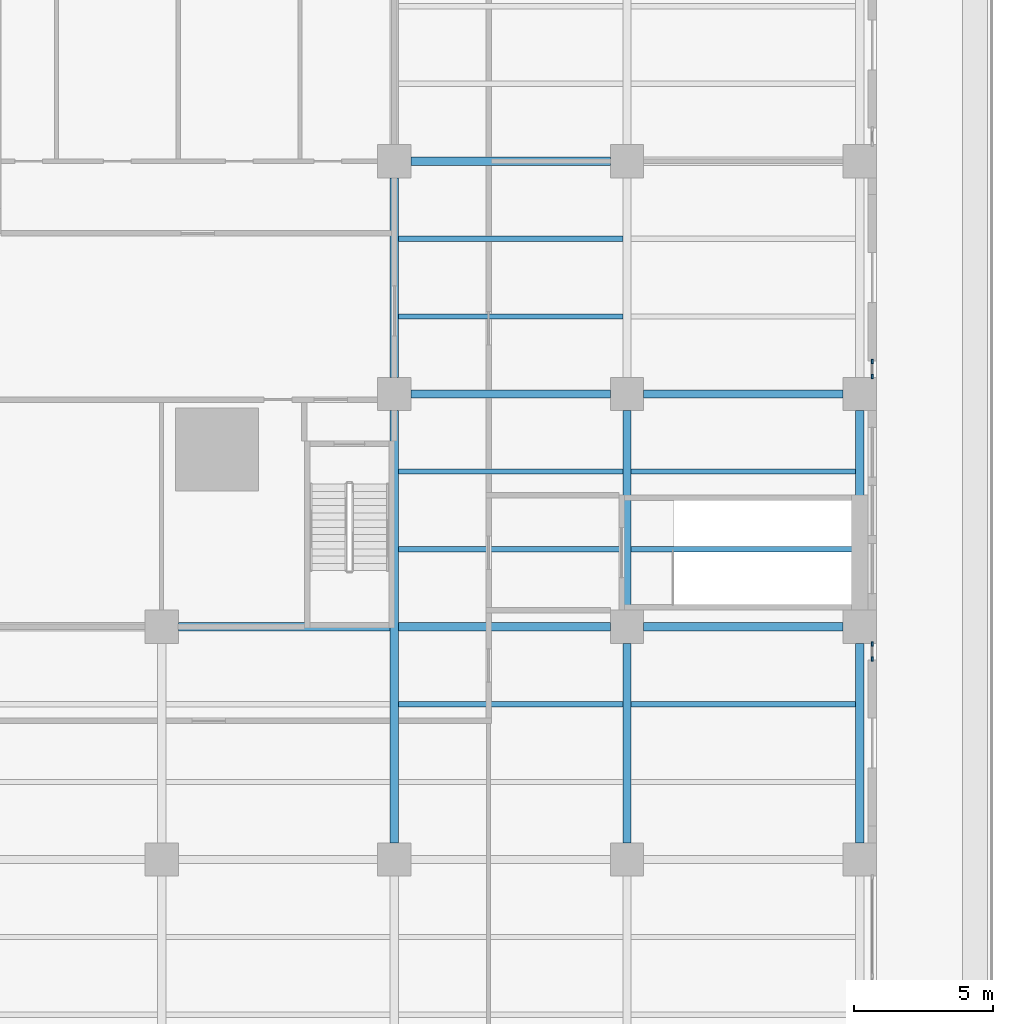
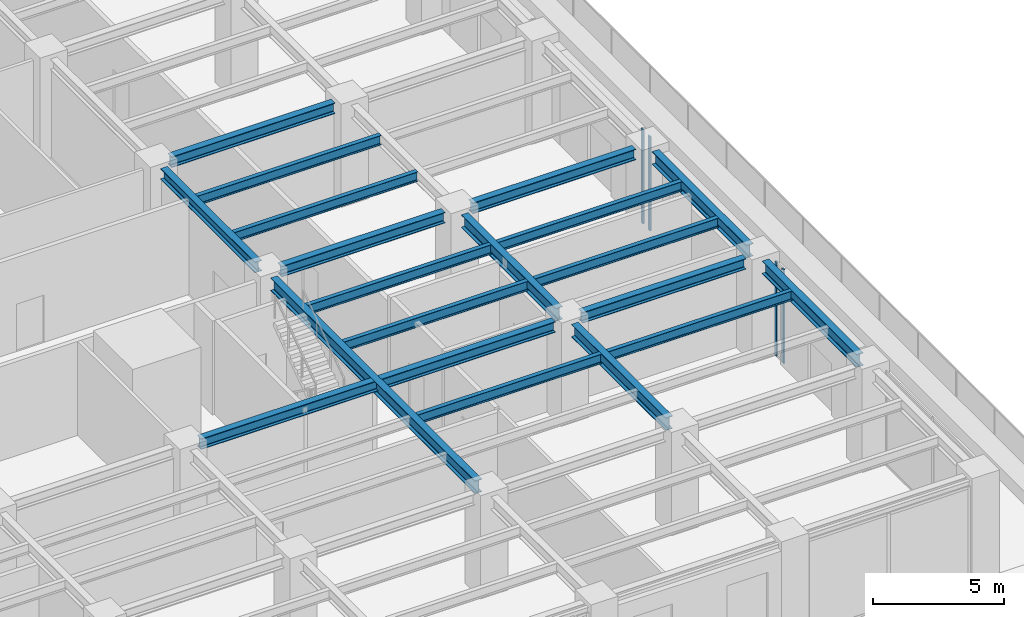
# One storey, part 9 of 53: 19 beams, 4 members, 2 elements without a shape of their own.
"""IFC4 building model written with IfcOpenShell, lengths in metres."""

import ifcopenshell
import ifcopenshell.guid

model = None  # the IFC model being written
_history = None  # IfcOwnerHistory: only IFC2X3 demands one
_inside = {}  # id of a spatial element -> (the spatial element, [elements in it])
_under = {}  # id of a project, library or spatial element -> (it, [spatial elements below it])
_declared = {}  # id of a project -> (the project, [libraries it declares])
_typed = {}  # id of a type object -> (the type object, [elements of that type])
_made_of = {}  # id of a material, layer set ... -> (it, [elements and type objects made of it])


def new_model(schema):
    """Start an empty IFC model of exactly this schema.

    Asked for "IFC4X3", IfcOpenShell would pick the latest addendum, in which some entities
    have other attributes; the version numbers below select the first issue.
    IFC2X3 requires an IfcOwnerHistory on every rooted entity: one is made here for all.
    """
    global model, _history
    if schema == "IFC4X3":
        model = ifcopenshell.file(schema_version=(4, 3, 0, 0))
    else:
        model = ifcopenshell.file(schema=schema)
    _inside.clear()
    _under.clear()
    _declared.clear()
    _typed.clear()
    _made_of.clear()
    _history = None
    if model.schema == "IFC2X3":
        org = make("IfcOrganization", Name="unknown")
        user = make(
            "IfcPersonAndOrganization",
            ThePerson=make("IfcPerson", FamilyName="unknown"),
            TheOrganization=org,
        )
        app = make(
            "IfcApplication",
            ApplicationDeveloper=org,
            Version="unknown",
            ApplicationFullName="unknown",
            ApplicationIdentifier="unknown",
        )
        _history = make(
            "IfcOwnerHistory",
            OwningUser=user,
            OwningApplication=app,
            ChangeAction="ADDED",
            CreationDate=0,
        )
    return model


def make(cls, **values):
    """One entity of the class cls with the attributes given. An attribute that is None is left unset."""
    return model.create_entity(
        cls, **{name: value for name, value in values.items() if value is not None}
    )


def rooted(cls, **values):
    """An entity with a GlobalId (a new one), such as an element, a storey or a relation."""
    return make(cls, GlobalId=ifcopenshell.guid.new(), OwnerHistory=_history, **values)


def si_unit(unit_type, name, prefix=None):
    """IfcSIUnit, for example si_unit("LENGTHUNIT", "METRE", prefix="MILLI")."""
    return make("IfcSIUnit", UnitType=unit_type, Prefix=prefix, Name=name)


def assignment(units):
    """IfcUnitAssignment: the units of a project."""
    return None if units is None else make("IfcUnitAssignment", Units=units)


def point(xyz):
    """IfcCartesianPoint."""
    return None if xyz is None else make("IfcCartesianPoint", Coordinates=xyz)


def direction(xyz):
    """IfcDirection."""
    return None if xyz is None else make("IfcDirection", DirectionRatios=xyz)


def frame(location, z_axis=None, x_axis=None):
    """IfcAxis2Placement3D, a coordinate frame: its origin and axes. An axis left out is left unset."""
    return make(
        "IfcAxis2Placement3D",
        Location=point(location),
        Axis=direction(z_axis),
        RefDirection=direction(x_axis),
    )


def frame_2d(location, x_axis=None):
    """IfcAxis2Placement2D, a coordinate frame in the plane: its origin and x axis."""
    return make(
        "IfcAxis2Placement2D", Location=point(location), RefDirection=direction(x_axis)
    )


def origin():
    """The frame at (0, 0, 0) with its axes left unset."""
    return frame((0.0, 0.0, 0.0))


def origin_2d():
    """The frame at (0, 0) in the plane with its x axis left unset."""
    return frame_2d((0.0, 0.0))


def place(relative_to, where):
    """IfcLocalPlacement: puts the frame where relative to a parent placement (None: the world)."""
    return make(
        "IfcLocalPlacement", PlacementRelTo=relative_to, RelativePlacement=where
    )


def context(
    kind, dimensions, precision=None, world=None, true_north=None, identifier=None
):
    """IfcGeometricRepresentationContext, for example the 3D "Model" context."""
    return make(
        "IfcGeometricRepresentationContext",
        ContextIdentifier=identifier,
        ContextType=kind,
        CoordinateSpaceDimension=dimensions,
        Precision=precision,
        WorldCoordinateSystem=world,
        TrueNorth=true_north,
    )


def subcontext(parent, identifier, kind, view, scale=None):
    """IfcGeometricRepresentationSubContext, for example "Body" below "Model"."""
    return make(
        "IfcGeometricRepresentationSubContext",
        ContextIdentifier=identifier,
        ContextType=kind,
        ParentContext=parent,
        TargetScale=scale,
        TargetView=view,
    )


def project(units=None, contexts=None):
    """IfcProject with its units and contexts."""
    return rooted(
        "IfcProject",
        Name="project",
        RepresentationContexts=contexts,
        UnitsInContext=assignment(units),
    )


def spatial(cls, under=None, at=None, **own):
    """A site, building, storey or space (cls), placed at a placement, below another one or the project."""
    s = rooted(cls, ObjectPlacement=at, **own)
    if under is not None:
        _under.setdefault(under.id(), (under, []))[1].append(s)
    return s


def profile(cls, at=None, kind="AREA", **sizes):
    """A parametric profile (cls). Its sizes go by their IFC names, for example OverallWidth=200.0."""
    return make(cls, ProfileType=kind, Position=at, **sizes)


def rectangle(**sizes):
    """IfcRectangleProfileDef."""
    return profile("IfcRectangleProfileDef", **sizes)


def i_section(**sizes):
    """IfcIShapeProfileDef."""
    return profile("IfcIShapeProfileDef", **sizes)


def extrude(swept, where, along, depth):
    """IfcExtrudedAreaSolid: the profile swept, set in the frame where, extruded along a direction by depth."""
    return make(
        "IfcExtrudedAreaSolid",
        SweptArea=swept,
        Position=where,
        ExtrudedDirection=direction(along),
        Depth=depth,
    )


def shape(context_of_items, identifier, shape_type, items):
    """IfcShapeRepresentation: the items that make up one representation, for example the "Body"."""
    return make(
        "IfcShapeRepresentation",
        ContextOfItems=context_of_items,
        RepresentationIdentifier=identifier,
        RepresentationType=shape_type,
        Items=items,
    )


def material(Name=None, Category=None):
    """IfcMaterial."""
    return make("IfcMaterial", Name=Name, Category=Category)


def material_profile(
    of_material, cross_section, Name=None, Category=None, Priority=None
):
    """IfcMaterialProfile: a cross section and its material."""
    return make(
        "IfcMaterialProfile",
        Name=Name,
        Material=of_material,
        Profile=cross_section,
        Priority=Priority,
        Category=Category,
    )


def profile_set(profiles, Name=None, composite=None):
    """IfcMaterialProfileSet."""
    return make(
        "IfcMaterialProfileSet",
        Name=Name,
        MaterialProfiles=profiles,
        CompositeProfile=composite,
    )


def made_of(thing, what):
    """Note that an element or type object is made of a material, layer set ...; save() writes the relation."""
    if what is not None:
        _made_of.setdefault(what.id(), (what, []))[1].append(thing)
    return thing


def type_object(cls, material=None, **own):
    """A type object (cls), such as IfcWallType, which elements share."""
    return made_of(rooted(cls, **own), material)


def element(
    cls,
    number,
    at=None,
    inside=None,
    cuts=None,
    type_object=None,
    material=None,
    context=None,
    identifier="Body",
    shape_type=None,
    held_by="IfcProductDefinitionShape",
    body=None,
    shapes=None,
    **own,
):
    """One element of the class cls, such as IfcWall. Its Tag is "e" and its number.

    at: its placement. inside: the storey or other place that contains it. cuts: it is an
    opening in that element (IfcRelVoidsElement). A single representation is given by context,
    identifier, shape_type and body (its items); several are given by shapes. held_by: the class
    of the entity that holds the representations. save() writes the other relations.
    """
    e = rooted(cls, Tag="e%d" % number, ObjectPlacement=at, **own)
    if body is not None:
        shapes = [shape(context, identifier, shape_type, body)]
    if shapes is not None:
        e.Representation = make(held_by, Representations=shapes)
    if inside is not None:
        _inside.setdefault(inside.id(), (inside, []))[1].append(e)
    if cuts is not None:
        rooted(
            "IfcRelVoidsElement", RelatingBuildingElement=cuts, RelatedOpeningElement=e
        )
    if type_object is not None:
        _typed.setdefault(type_object.id(), (type_object, []))[1].append(e)
    return made_of(e, material)


def aggregate(whole, parts):
    """IfcRelAggregates: a whole, such as a stair, and the parts it consists of."""
    return rooted("IfcRelAggregates", RelatingObject=whole, RelatedObjects=parts)


def save(model, path):
    """Write the relations noted so far, then the file.

    IfcRelAggregates (storeys below a building ...), IfcRelContainedInSpatialStructure (elements
    in a storey), IfcRelDefinesByType, IfcRelAssociatesMaterial and IfcRelDeclares: one each for
    every whole, place, type object, material and project.
    """
    for whole, parts in _under.values():
        aggregate(whole, parts)
    for where, things in _inside.values():
        rooted(
            "IfcRelContainedInSpatialStructure",
            RelatedElements=things,
            RelatingStructure=where,
        )
    for kind, things in _typed.values():
        rooted("IfcRelDefinesByType", RelatedObjects=things, RelatingType=kind)
    for what, things in _made_of.values():
        rooted("IfcRelAssociatesMaterial", RelatedObjects=things, RelatingMaterial=what)
    for by, libraries in _declared.values():
        rooted("IfcRelDeclares", RelatingContext=by, RelatedDefinitions=libraries)
    model.write(path)


model = new_model("IFC4")

# Units and contexts
model_context = context("Model", 3, precision=1e-05, world=origin(), true_north=direction((0.0, 1.0)))
body_context = subcontext(model_context, "Body", "Model", "MODEL_VIEW")
ifc_project = project(units=[si_unit("LENGTHUNIT", "METRE"), si_unit("AREAUNIT", "SQUARE_METRE"), si_unit("VOLUMEUNIT", "CUBIC_METRE"), si_unit("PLANEANGLEUNIT", "RADIAN"), si_unit("MASSUNIT", "GRAM", prefix="KILO")], contexts=[model_context])

# Site, building, storey
site_placement = place(None, origin())
site = spatial("IfcSite", under=ifc_project, at=site_placement, CompositionType="ELEMENT")
building_placement = place(site_placement, origin())
building = spatial("IfcBuilding", under=site, at=building_placement, Name="Khepri Terraces", CompositionType="ELEMENT")
storey_placement = place(building_placement, frame((0.0, 0.0, 7.199951171875)))
storey = spatial("IfcBuildingStorey", under=building, at=storey_placement, Name="L01", CompositionType="ELEMENT", Elevation=7.199951171875)

# Curtain wall, members
ifc_material_1 = material(Name="Anodised aluminium bronze curtain wall", Category="aluminium")
curtain_wall_type = type_object("IfcCurtainWallType", Name="CW-SYS2-PODIUM", PredefinedType="NOTDEFINED", material=ifc_material_1)
curtain_wall_1_placement = place(storey_placement, origin())
curtain_wall_1 = element("IfcCurtainWall", 1, at=curtain_wall_1_placement, inside=storey, type_object=curtain_wall_type, Name="Curtain wall CW2 L01 E", PredefinedType="NOTDEFINED")
ifc_material_2 = material(Name="Anodised aluminium bronze", Category="aluminium")
ifc_material_profile_1 = material_profile(ifc_material_2, rectangle(XDim=0.06005859375, YDim=0.159912109375, at=origin_2d()), Name="Anodised aluminium bronze", Category="aluminium")
ifc_profile_set_1 = profile_set([ifc_material_profile_1], Name="Anodised aluminium bronze")
member_type = type_object("IfcMemberType", Name="CW-MULLION-60x160", PredefinedType="MULLION", material=ifc_profile_set_1)
member_1_placement = place(storey_placement, frame((42.449951171875, -26.3701171875, 0.0), z_axis=(0.0, 0.0, 1.0), x_axis=(-1.0, 0.0, 0.0)))
member_1 = element("IfcMember", 2, at=member_1_placement, type_object=member_type, Name="CW2 mullion 1", PredefinedType="MULLION", context=body_context, shape_type="SweptSolid", body=[
    extrude(rectangle(XDim=0.06005859375, YDim=0.159912109375, at=origin_2d()), origin(), (0.0, 0.0, 1.0), 4.380126953125),
])
member_2_placement = place(storey_placement, frame((42.449951171875, -25.830078125, 0.0), z_axis=(0.0, 0.0, 1.0), x_axis=(-1.0, 0.0, 0.0)))
member_2 = element("IfcMember", 3, at=member_2_placement, type_object=member_type, Name="CW2 mullion 2", PredefinedType="MULLION", context=body_context, shape_type="SweptSolid", body=[
    extrude(rectangle(XDim=0.06005859375, YDim=0.159912109375, at=origin_2d()), origin(), (0.0, 0.0, 1.0), 4.380126953125),
])
aggregate(curtain_wall_1, [member_1, member_2])

curtain_wall_2_placement = place(storey_placement, origin())
curtain_wall_2 = element("IfcCurtainWall", 4, at=curtain_wall_2_placement, inside=storey, type_object=curtain_wall_type, Name="Curtain wall CW2 L01 E", PredefinedType="NOTDEFINED")
member_3_placement = place(storey_placement, frame((42.449951171875, -16.169921875, 0.0), z_axis=(0.0, 0.0, 1.0), x_axis=(-1.0, 0.0, 0.0)))
member_3 = element("IfcMember", 5, at=member_3_placement, type_object=member_type, Name="CW2 mullion 1", PredefinedType="MULLION", context=body_context, shape_type="SweptSolid", body=[
    extrude(rectangle(XDim=0.06005859375, YDim=0.159912109375, at=origin_2d()), origin(), (0.0, 0.0, 1.0), 4.380126953125),
])
member_4_placement = place(storey_placement, frame((42.449951171875, -15.6298828125, 0.0), z_axis=(0.0, 0.0, 1.0), x_axis=(-1.0, 0.0, 0.0)))
member_4 = element("IfcMember", 6, at=member_4_placement, type_object=member_type, Name="CW2 mullion 2", PredefinedType="MULLION", context=body_context, shape_type="SweptSolid", body=[
    extrude(rectangle(XDim=0.06005859375, YDim=0.159912109375, at=origin_2d()), origin(), (0.0, 0.0, 1.0), 4.380126953125),
])
aggregate(curtain_wall_2, [member_3, member_4])

# Beams
ifc_material_3 = material(Name="Steel S355", Category="steel")
ifc_material_profile_2 = material_profile(ifc_material_3, i_section(OverallWidth=0.300048828125, OverallDepth=0.60009765625, WebThickness=0.015380859375, FlangeThickness=0.030029296875, FilletRadius=0.027099609375, at=origin_2d()), Name="Steel S355", Category="steel")
ifc_profile_set_2 = profile_set([ifc_material_profile_2], Name="Steel S355")
beam_type_1 = type_object("IfcBeamType", Name="Podium girder L02 HEB 600", PredefinedType="BEAM", material=ifc_profile_set_2)
beam_1_placement = place(storey_placement, frame((25.199951171875, -33.0, 4.300048828125), z_axis=(0.0, 1.0, 0.0), x_axis=(-1.0, 0.0, 0.0)))
element("IfcBeam", 7, at=beam_1_placement, inside=storey, type_object=beam_type_1, Name="Podium girder L02 050", PredefinedType="BEAM", context=body_context, shape_type="SweptSolid", body=[
    extrude(i_section(OverallWidth=0.300048828125, OverallDepth=0.60009765625, WebThickness=0.015380859375, FlangeThickness=0.030029296875, FilletRadius=0.027099609375, at=origin_2d()), origin(), (0.0, 0.0, 1.0), 15.60009765625),
])
beam_2_placement = place(storey_placement, frame((33.60009765625, -33.0, 4.300048828125), z_axis=(0.0, 1.0, 0.0), x_axis=(-1.0, 0.0, 0.0)))
element("IfcBeam", 8, at=beam_2_placement, inside=storey, type_object=beam_type_1, Name="Podium girder L02 058", PredefinedType="BEAM", context=body_context, shape_type="SweptSolid", body=[
    extrude(i_section(OverallWidth=0.300048828125, OverallDepth=0.60009765625, WebThickness=0.015380859375, FlangeThickness=0.030029296875, FilletRadius=0.027099609375, at=origin_2d()), origin(), (0.0, 0.0, 1.0), 7.199951171875),
])
beam_3_placement = place(storey_placement, frame((33.60009765625, -24.60009765625, 4.300048828125), z_axis=(0.0, 1.0, 0.0), x_axis=(-1.0, 0.0, 0.0)))
element("IfcBeam", 9, at=beam_3_placement, inside=storey, type_object=beam_type_1, Name="Podium girder L02 059", PredefinedType="BEAM", context=body_context, shape_type="SweptSolid", body=[
    extrude(i_section(OverallWidth=0.300048828125, OverallDepth=0.60009765625, WebThickness=0.015380859375, FlangeThickness=0.030029296875, FilletRadius=0.027099609375, at=origin_2d()), origin(), (0.0, 0.0, 1.0), 7.2001953125),
])
beam_4_placement = place(storey_placement, frame((42.0, -33.0, 4.300048828125), z_axis=(0.0, 1.0, 0.0), x_axis=(-1.0, 0.0, 0.0)))
element("IfcBeam", 10, at=beam_4_placement, inside=storey, type_object=beam_type_1, Name="Podium girder L02 068", PredefinedType="BEAM", context=body_context, shape_type="SweptSolid", body=[
    extrude(i_section(OverallWidth=0.300048828125, OverallDepth=0.60009765625, WebThickness=0.015380859375, FlangeThickness=0.030029296875, FilletRadius=0.027099609375, at=origin_2d()), origin(), (0.0, 0.0, 1.0), 7.199951171875),
])
beam_5_placement = place(storey_placement, frame((42.0, -24.60009765625, 4.300048828125), z_axis=(0.0, 1.0, 0.0), x_axis=(-1.0, 0.0, 0.0)))
element("IfcBeam", 11, at=beam_5_placement, inside=storey, type_object=beam_type_1, Name="Podium girder L02 069", PredefinedType="BEAM", context=body_context, shape_type="SweptSolid", body=[
    extrude(i_section(OverallWidth=0.300048828125, OverallDepth=0.60009765625, WebThickness=0.015380859375, FlangeThickness=0.030029296875, FilletRadius=0.027099609375, at=origin_2d()), origin(), (0.0, 0.0, 1.0), 7.2001953125),
])
ifc_material_profile_3 = material_profile(ifc_material_3, i_section(OverallWidth=0.300048828125, OverallDepth=0.5, WebThickness=0.014404296875, FlangeThickness=0.028076171875, FilletRadius=0.027099609375, at=origin_2d()), Name="Steel S355", Category="steel")
ifc_profile_set_3 = profile_set([ifc_material_profile_3], Name="Steel S355")
beam_type_2 = type_object("IfcBeamType", Name="Podium girder L02 grid line HEB 500", PredefinedType="BEAM", material=ifc_profile_set_3)
beam_6_placement = place(storey_placement, frame((17.39990234375, -25.199951171875, 4.35009765625), z_axis=(1.0, 0.0, 0.0), x_axis=(0.0, 1.0, 0.0)))
element("IfcBeam", 12, at=beam_6_placement, inside=storey, type_object=beam_type_2, Name="Podium grid-line girder L02 067", PredefinedType="BEAM", context=body_context, shape_type="SweptSolid", body=[
    extrude(i_section(OverallWidth=0.300048828125, OverallDepth=0.5, WebThickness=0.014404296875, FlangeThickness=0.028076171875, FilletRadius=0.027099609375, at=origin_2d()), origin(), (0.0, 0.0, 1.0), 15.60009765625),
])
for number, where, z_axis, x_axis, name in (
    (13, (34.199951171875, -25.199951171875, 4.35009765625), (1.0, 0.0, 0.0), (0.0, 1.0, 0.0), "Podium grid-line girder L02 068"),
    (14, (25.800048828125, -16.800048828125, 4.35009765625), (1.0, 0.0, 0.0), (0.0, 1.0, 0.0), "Podium grid-line girder L02 079"),
    (15, (34.199951171875, -16.800048828125, 4.35009765625), (1.0, 0.0, 0.0), (0.0, 1.0, 0.0), "Podium grid-line girder L02 080"),
    (16, (25.800048828125, -8.39990234375, 4.35009765625), (1.0, 0.0, 0.0), (0.0, 1.0, 0.0), "Podium grid-line girder L02 091"),
):
    element("IfcBeam", number, at=place(storey_placement, frame(where, z_axis=z_axis, x_axis=x_axis)), inside=storey, type_object=beam_type_2, Name=name, PredefinedType="BEAM", context=body_context, shape_type="SweptSolid", body=[
        extrude(i_section(OverallWidth=0.300048828125, OverallDepth=0.5, WebThickness=0.014404296875, FlangeThickness=0.028076171875, FilletRadius=0.027099609375, at=origin_2d()), origin(), (0.0, 0.0, 1.0), 7.199951171875),
    ])
ifc_material_profile_4 = material_profile(ifc_material_3, i_section(OverallWidth=0.18994140625, OverallDepth=0.449951171875, WebThickness=0.009521484375, FlangeThickness=0.0146484375, FilletRadius=0.02099609375, at=origin_2d()), Name="Steel S355", Category="steel")
ifc_profile_set_4 = profile_set([ifc_material_profile_4], Name="Steel S355")
beam_type_3 = type_object("IfcBeamType", Name="Podium joist L02 IPE 450", PredefinedType="JOIST", material=ifc_profile_set_4)
beam_7_placement = place(storey_placement, frame((25.35009765625, -28.0, 4.375), z_axis=(1.0, 0.0, 0.0), x_axis=(0.0, 1.0, 0.0)))
element("IfcBeam", 17, at=beam_7_placement, inside=storey, type_object=beam_type_3, Name="Podium joist L02 059", PredefinedType="JOIST", context=body_context, shape_type="SweptSolid", body=[
    extrude(i_section(OverallWidth=0.18994140625, OverallDepth=0.449951171875, WebThickness=0.009521484375, FlangeThickness=0.0146484375, FilletRadius=0.02099609375, at=origin_2d()), origin(), (0.0, 0.0, 1.0), 8.099853515625),
])
beam_8_placement = place(storey_placement, frame((33.75, -28.0, 4.375), z_axis=(1.0, 0.0, 0.0), x_axis=(0.0, 1.0, 0.0)))
element("IfcBeam", 18, at=beam_8_placement, inside=storey, type_object=beam_type_3, Name="Podium joist L02 060", PredefinedType="JOIST", context=body_context, shape_type="SweptSolid", body=[
    extrude(i_section(OverallWidth=0.18994140625, OverallDepth=0.449951171875, WebThickness=0.009521484375, FlangeThickness=0.0146484375, FilletRadius=0.02099609375, at=origin_2d()), origin(), (0.0, 0.0, 1.0), 8.10009765625),
])
beam_9_placement = place(storey_placement, frame((25.35009765625, -22.39990234375, 4.375), z_axis=(1.0, 0.0, 0.0), x_axis=(0.0, 1.0, 0.0)))
element("IfcBeam", 19, at=beam_9_placement, inside=storey, type_object=beam_type_3, Name="Podium joist L02 071", PredefinedType="JOIST", context=body_context, shape_type="SweptSolid", body=[
    extrude(i_section(OverallWidth=0.18994140625, OverallDepth=0.449951171875, WebThickness=0.009521484375, FlangeThickness=0.0146484375, FilletRadius=0.02099609375, at=origin_2d()), origin(), (0.0, 0.0, 1.0), 8.099853515625),
])
beam_10_placement = place(storey_placement, frame((33.75, -22.39990234375, 4.375), z_axis=(1.0, 0.0, 0.0), x_axis=(0.0, 1.0, 0.0)))
element("IfcBeam", 20, at=beam_10_placement, inside=storey, type_object=beam_type_3, Name="Podium joist L02 072", PredefinedType="JOIST", context=body_context, shape_type="SweptSolid", body=[
    extrude(i_section(OverallWidth=0.18994140625, OverallDepth=0.449951171875, WebThickness=0.009521484375, FlangeThickness=0.0146484375, FilletRadius=0.02099609375, at=origin_2d()), origin(), (0.0, 0.0, 1.0), 8.10009765625),
])
beam_11_placement = place(storey_placement, frame((25.35009765625, -19.60009765625, 4.375), z_axis=(1.0, 0.0, 0.0), x_axis=(0.0, 1.0, 0.0)))
element("IfcBeam", 21, at=beam_11_placement, inside=storey, type_object=beam_type_3, Name="Podium joist L02 075", PredefinedType="JOIST", context=body_context, shape_type="SweptSolid", body=[
    extrude(i_section(OverallWidth=0.18994140625, OverallDepth=0.449951171875, WebThickness=0.009521484375, FlangeThickness=0.0146484375, FilletRadius=0.02099609375, at=origin_2d()), origin(), (0.0, 0.0, 1.0), 8.099853515625),
])
beam_12_placement = place(storey_placement, frame((33.75, -19.60009765625, 4.375), z_axis=(1.0, 0.0, 0.0), x_axis=(0.0, 1.0, 0.0)))
element("IfcBeam", 22, at=beam_12_placement, inside=storey, type_object=beam_type_3, Name="Podium joist L02 076", PredefinedType="JOIST", context=body_context, shape_type="SweptSolid", body=[
    extrude(i_section(OverallWidth=0.18994140625, OverallDepth=0.449951171875, WebThickness=0.009521484375, FlangeThickness=0.0146484375, FilletRadius=0.02099609375, at=origin_2d()), origin(), (0.0, 0.0, 1.0), 8.10009765625),
])
for number, where, z_axis, x_axis, name in (
    (23, (25.35009765625, -14.0, 4.375), (1.0, 0.0, 0.0), (0.0, 1.0, 0.0), "Podium joist L02 083"),
    (24, (25.35009765625, -11.199951171875, 4.375), (1.0, 0.0, 0.0), (0.0, 1.0, 0.0), "Podium joist L02 087"),
):
    element("IfcBeam", number, at=place(storey_placement, frame(where, z_axis=z_axis, x_axis=x_axis)), inside=storey, type_object=beam_type_3, Name=name, PredefinedType="JOIST", context=body_context, shape_type="SweptSolid", body=[
        extrude(i_section(OverallWidth=0.18994140625, OverallDepth=0.449951171875, WebThickness=0.009521484375, FlangeThickness=0.0146484375, FilletRadius=0.02099609375, at=origin_2d()), origin(), (0.0, 0.0, 1.0), 8.099853515625),
    ])
ifc_material_profile_5 = material_profile(ifc_material_3, i_section(OverallWidth=0.300048828125, OverallDepth=0.5, WebThickness=0.014404296875, FlangeThickness=0.028076171875, FilletRadius=0.027099609375, at=origin_2d()), Name="Steel S355", Category="steel")
ifc_profile_set_5 = profile_set([ifc_material_profile_5], Name="Steel S355")
beam_type_4 = type_object("IfcBeamType", Name="Tower ring beam HEB 500", PredefinedType="BEAM", material=ifc_profile_set_5)
beam_13_placement = place(storey_placement, frame((25.199951171875, -16.199951171875, 4.35009765625), z_axis=(0.0, 1.0, 0.0), x_axis=(-1.0, 0.0, 0.0)))
element("IfcBeam", 25, at=beam_13_placement, inside=storey, type_object=beam_type_4, Name="Ring beam L02 051", PredefinedType="BEAM", context=body_context, shape_type="SweptSolid", body=[
    extrude(i_section(OverallWidth=0.300048828125, OverallDepth=0.5, WebThickness=0.014404296875, FlangeThickness=0.028076171875, FilletRadius=0.027099609375, at=origin_2d()), origin(), (0.0, 0.0, 1.0), 7.199951171875),
])

save(model, "model.ifc")
